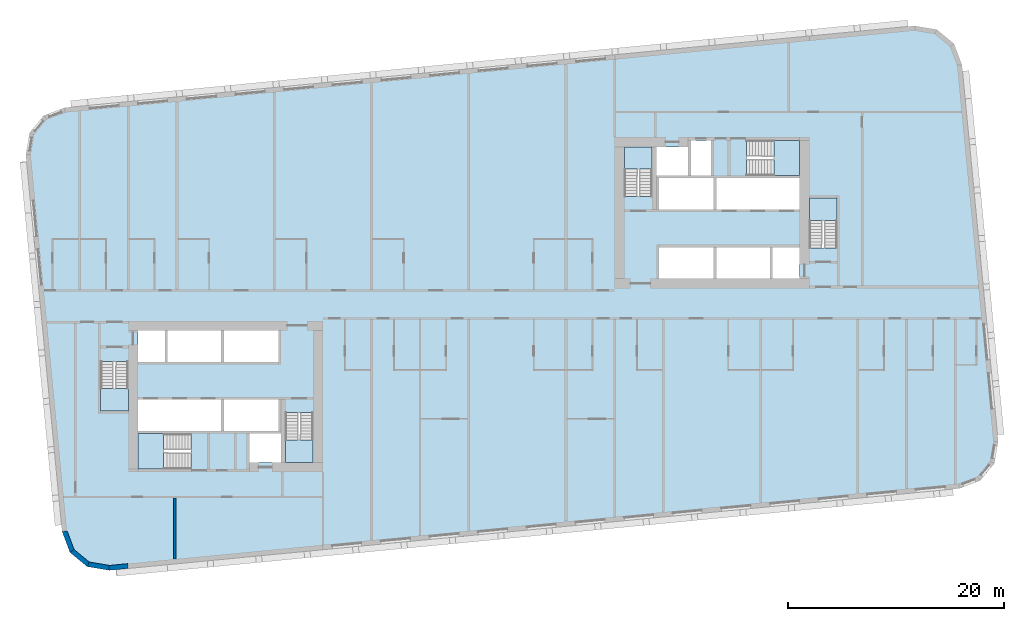
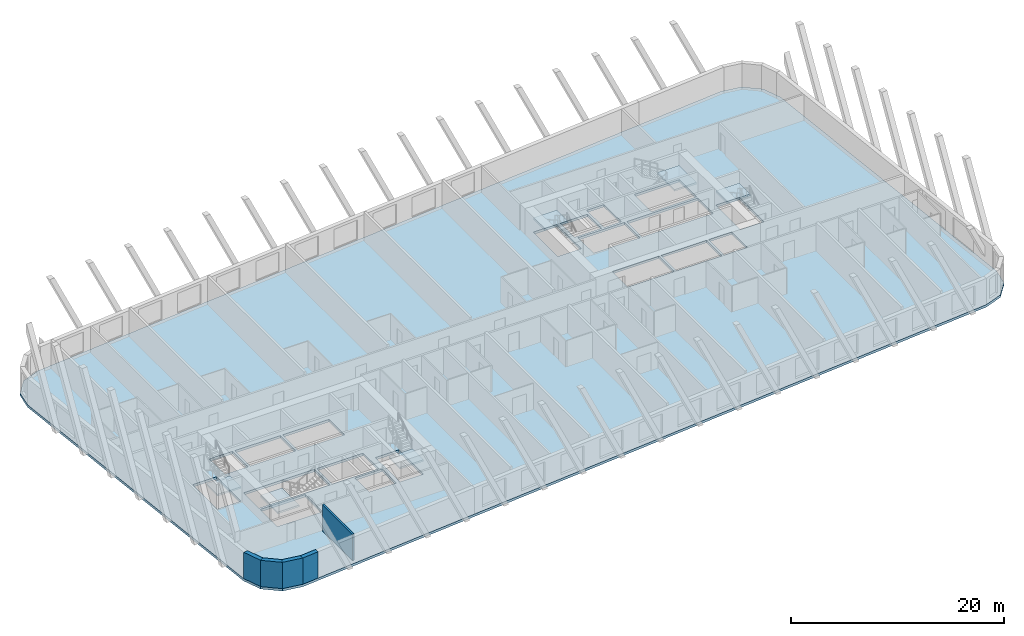
# One storey, part 1 of 13: 7 slabs, 5 walls, 6 elements without a shape of their own.
"""IFC4 building model written with IfcOpenShell, lengths in metres."""

from ifc_helpers import new_model, si_unit, direction, frame, frame_2d, origin, place, context, subcontext, project, spatial, polyline, rectangle, outline, extrude, material, layer, layer_set, type_object, element, aggregate, save


model = new_model("IFC4")

# Units and contexts
model_context = context("Model", 3, precision=1e-05, world=origin(), true_north=direction((0.0, 1.0)))
body_context = subcontext(model_context, "Body", "Model", "MODEL_VIEW")
ifc_project = project(units=[si_unit("LENGTHUNIT", "METRE"), si_unit("AREAUNIT", "SQUARE_METRE"), si_unit("VOLUMEUNIT", "CUBIC_METRE"), si_unit("PLANEANGLEUNIT", "RADIAN"), si_unit("MASSUNIT", "GRAM", prefix="KILO")], contexts=[model_context])

# Site, building, storey
site_placement = place(None, origin())
site = spatial("IfcSite", under=ifc_project, at=site_placement, CompositionType="ELEMENT")
building_placement = place(site_placement, origin())
building = spatial("IfcBuilding", under=site, at=building_placement, Name="Kajstack Hotel Tower", CompositionType="ELEMENT")
storey_placement = place(building_placement, frame((0.0, 0.0, 110.800048828125)))
storey = spatial("IfcBuildingStorey", under=building, at=storey_placement, Name="L23", CompositionType="ELEMENT", Elevation=110.800048828125)

# Slab
ifc_material_1 = material(Name="Concrete C40/50", Category="concrete")
ifc_layer_1 = layer(ifc_material_1, 0.280029296875)
ifc_layer_set_1 = layer_set([ifc_layer_1], Name="RC slab 280 C40/50 guest")
slab_type_1 = type_object("IfcSlabType", Name="RC slab 280 C40/50 guest", PredefinedType="FLOOR", material=ifc_layer_set_1)
slab_1_placement = place(storey_placement, frame((0.0, 0.0, -0.280029296875)))
element("IfcSlab", 1, at=slab_1_placement, inside=storey, type_object=slab_type_1, Name="S-slab-L23", PredefinedType="FLOOR", context=body_context, shape_type="SweptSolid", body=[
    extrude(outline(polyline([(-40.97705078125, 13.85009765625), (-37.622314453125, -20.98876953125), (-36.897216796875, -22.92822265625), (-35.299560546875, -24.2451171875), (-33.257568359375, -24.5869140625), (45.37890625, -17.01513671875), (47.318359375, -16.2900390625), (48.63525390625, -14.6923828125), (48.97705078125, -12.650146484375), (45.622314453125, 22.188720703125), (44.897216796875, 24.128173828125), (43.299560546875, 25.4453125), (41.257568359375, 25.786865234375), (-37.37890625, 18.215087890625), (-39.318359375, 17.489990234375), (-40.63525390625, 15.892333984375), (-40.97705078125, 13.85009765625)]), holes=[polyline([(-30.60009765625, -11.699951171875), (-30.60009765625, -8.800048828125), (-22.89990234375, -8.800048828125), (-22.89990234375, -11.699951171875), (-30.60009765625, -11.699951171875)]), polyline([(-22.64990234375, -11.699951171875), (-22.64990234375, -8.800048828125), (-17.60009765625, -8.800048828125), (-17.60009765625, -11.699951171875), (-22.64990234375, -11.699951171875)]), polyline([(-27.85009765625, -5.300048828125), (-27.85009765625, -2.39990234375), (-22.89990234375, -2.39990234375), (-22.89990234375, -5.300048828125), (-27.85009765625, -5.300048828125)]), polyline([(-22.64990234375, -5.300048828125), (-22.64990234375, -2.39990234375), (-17.60009765625, -2.39990234375), (-17.60009765625, -5.300048828125), (-22.64990234375, -5.300048828125)]), polyline([(-20.300048828125, -14.60009765625), (-17.35009765625, -14.60009765625), (-17.35009765625, -11.949951171875), (-20.300048828125, -11.949951171875), (-20.300048828125, -14.60009765625)]), polyline([(-30.60009765625, -5.300048828125), (-28.10009765625, -5.300048828125), (-28.10009765625, -2.39990234375), (-30.60009765625, -2.39990234375), (-30.60009765625, -5.300048828125)]), polyline([(22.89990234375, 8.800048828125), (22.89990234375, 11.699951171875), (30.60009765625, 11.699951171875), (30.60009765625, 8.800048828125), (22.89990234375, 8.800048828125)]), polyline([(17.60009765625, 8.800048828125), (17.60009765625, 11.699951171875), (22.64990234375, 11.699951171875), (22.64990234375, 8.800048828125), (17.60009765625, 8.800048828125)]), polyline([(22.89990234375, 2.39990234375), (22.89990234375, 5.300048828125), (27.85009765625, 5.300048828125), (27.85009765625, 2.39990234375), (22.89990234375, 2.39990234375)]), polyline([(17.60009765625, 2.39990234375), (17.60009765625, 5.300048828125), (22.64990234375, 5.300048828125), (22.64990234375, 2.39990234375), (17.60009765625, 2.39990234375)]), polyline([(20.300048828125, 14.60009765625), (17.35009765625, 14.60009765625), (17.35009765625, 11.949951171875), (20.300048828125, 11.949951171875), (20.300048828125, 14.60009765625)]), polyline([(30.60009765625, 5.300048828125), (28.10009765625, 5.300048828125), (28.10009765625, 2.39990234375), (30.60009765625, 2.39990234375), (30.60009765625, 5.300048828125)]), polyline([(-34.050048828125, -9.85009765625), (-31.5, -9.85009765625), (-31.5, -5.25), (-34.050048828125, -5.25), (-34.050048828125, -9.85009765625)]), polyline([(-16.949951171875, -14.60009765625), (-14.39990234375, -14.60009765625), (-14.39990234375, -10.0), (-16.949951171875, -10.0), (-16.949951171875, -14.60009765625)]), polyline([(-30.60009765625, -15.199951171875), (-25.699951171875, -15.199951171875), (-25.699951171875, -11.949951171875), (-30.60009765625, -11.949951171875), (-30.60009765625, -15.199951171875)]), polyline([(34.050048828125, 9.85009765625), (31.5, 9.85009765625), (31.5, 5.25), (34.050048828125, 5.25), (34.050048828125, 9.85009765625)]), polyline([(16.949951171875, 14.60009765625), (14.39990234375, 14.60009765625), (14.39990234375, 10.0), (16.949951171875, 10.0), (16.949951171875, 14.60009765625)]), polyline([(30.60009765625, 15.199951171875), (25.699951171875, 15.199951171875), (25.699951171875, 11.949951171875), (30.60009765625, 11.949951171875), (30.60009765625, 15.199951171875)]), polyline([(22.425048828125, 15.199951171875), (22.425048828125, 11.949951171875), (20.550048828125, 11.949951171875), (20.550048828125, 15.199951171875), (22.425048828125, 15.199951171875)])]), origin(), (0.0, 0.0, 1.0), 0.280029296875),
])

# Stair, slab
stair_type_1 = type_object("IfcStairType", Name="Exit stair 1200", PredefinedType="HALF_TURN_STAIR", material=ifc_material_1)
stair_1_placement = place(storey_placement, origin())
stair_1 = element("IfcStair", 2, at=stair_1_placement, inside=storey, type_object=stair_type_1, Name="L23 stair W1", PredefinedType="HALF_TURN_STAIR")
ifc_layer_2 = layer(ifc_material_1, 0.199951171875)
ifc_layer_set_2 = layer_set([ifc_layer_2], Name="Stair landing 200")
slab_type_2 = type_object("IfcSlabType", Name="Stair landing 200", PredefinedType="LANDING", material=ifc_layer_set_2)
slab_2_placement = place(storey_placement, frame((0.0, 0.0, 1.449951171875)))
slab_2 = element("IfcSlab", 3, at=slab_2_placement, type_object=slab_type_2, Name="W1 landing 1", PredefinedType="LANDING", context=body_context, shape_type="SweptSolid", body=[
    extrude(outline(polyline([(-34.050048828125, -7.77001953125), (-34.050048828125, -9.85009765625), (-31.5, -9.85009765625), (-31.5, -7.77001953125), (-34.050048828125, -7.77001953125)])), origin(), (0.0, 0.0, 1.0), 0.199951171875),
])
aggregate(stair_1, [slab_2])

stair_2_placement = place(storey_placement, origin())
stair_2 = element("IfcStair", 4, at=stair_2_placement, inside=storey, type_object=stair_type_1, Name="L23 stair W2", PredefinedType="HALF_TURN_STAIR")
slab_3_placement = place(storey_placement, frame((0.0, 0.0, 1.449951171875)))
slab_3 = element("IfcSlab", 5, at=slab_3_placement, type_object=slab_type_2, Name="W2 landing 1", PredefinedType="LANDING", context=body_context, shape_type="SweptSolid", body=[
    extrude(outline(polyline([(-16.949951171875, -12.52001953125), (-16.949951171875, -14.60009765625), (-14.39990234375, -14.60009765625), (-14.39990234375, -12.52001953125), (-16.949951171875, -12.52001953125)])), origin(), (0.0, 0.0, 1.0), 0.199951171875),
])
aggregate(stair_2, [slab_3])

stair_type_2 = type_object("IfcStairType", Name="Exit stair 1500", PredefinedType="HALF_TURN_STAIR", material=ifc_material_1)
stair_3_placement = place(storey_placement, origin())
stair_3 = element("IfcStair", 6, at=stair_3_placement, inside=storey, type_object=stair_type_2, Name="L23 stair W3", PredefinedType="HALF_TURN_STAIR")
slab_4_placement = place(storey_placement, frame((0.0, 0.0, 1.449951171875)))
slab_4 = element("IfcSlab", 7, at=slab_4_placement, type_object=slab_type_2, Name="W3 landing 1", PredefinedType="LANDING", context=body_context, shape_type="SweptSolid", body=[
    extrude(outline(polyline([(-28.219970703125, -11.949951171875), (-30.60009765625, -11.949951171875), (-30.60009765625, -15.199951171875), (-28.219970703125, -15.199951171875), (-28.219970703125, -11.949951171875)])), origin(), (0.0, 0.0, 1.0), 0.199951171875),
])
aggregate(stair_3, [slab_4])

stair_4_placement = place(storey_placement, origin())
stair_4 = element("IfcStair", 8, at=stair_4_placement, inside=storey, type_object=stair_type_1, Name="L23 stair E1", PredefinedType="HALF_TURN_STAIR")
slab_5_placement = place(storey_placement, frame((0.0, 0.0, 1.449951171875)))
slab_5 = element("IfcSlab", 9, at=slab_5_placement, type_object=slab_type_2, Name="E1 landing 1", PredefinedType="LANDING", context=body_context, shape_type="SweptSolid", body=[
    extrude(outline(polyline([(34.050048828125, 7.77001953125), (34.050048828125, 9.85009765625), (31.5, 9.85009765625), (31.5, 7.77001953125), (34.050048828125, 7.77001953125)])), origin(), (0.0, 0.0, 1.0), 0.199951171875),
])
aggregate(stair_4, [slab_5])

stair_5_placement = place(storey_placement, origin())
stair_5 = element("IfcStair", 10, at=stair_5_placement, inside=storey, type_object=stair_type_1, Name="L23 stair E2", PredefinedType="HALF_TURN_STAIR")
slab_6_placement = place(storey_placement, frame((0.0, 0.0, 1.449951171875)))
slab_6 = element("IfcSlab", 11, at=slab_6_placement, type_object=slab_type_2, Name="E2 landing 1", PredefinedType="LANDING", context=body_context, shape_type="SweptSolid", body=[
    extrude(outline(polyline([(16.949951171875, 12.52001953125), (16.949951171875, 14.60009765625), (14.39990234375, 14.60009765625), (14.39990234375, 12.52001953125), (16.949951171875, 12.52001953125)])), origin(), (0.0, 0.0, 1.0), 0.199951171875),
])
aggregate(stair_5, [slab_6])

stair_6_placement = place(storey_placement, origin())
stair_6 = element("IfcStair", 12, at=stair_6_placement, inside=storey, type_object=stair_type_2, Name="L23 stair E3", PredefinedType="HALF_TURN_STAIR")
slab_7_placement = place(storey_placement, frame((0.0, 0.0, 1.449951171875)))
slab_7 = element("IfcSlab", 13, at=slab_7_placement, type_object=slab_type_2, Name="E3 landing 1", PredefinedType="LANDING", context=body_context, shape_type="SweptSolid", body=[
    extrude(outline(polyline([(28.219970703125, 11.949951171875), (30.60009765625, 11.949951171875), (30.60009765625, 15.199951171875), (28.219970703125, 15.199951171875), (28.219970703125, 11.949951171875)])), origin(), (0.0, 0.0, 1.0), 0.199951171875),
])
aggregate(stair_6, [slab_7])

# Walls
ifc_material_2 = material(Name="Terracotta-faced brick masonry", Category="masonry")
ifc_layer_3 = layer(ifc_material_2, 0.449951171875)
ifc_layer_set_3 = layer_set([ifc_layer_3], Name="EW-TERRA")
wall_type_1 = type_object("IfcWallType", Name="EW-TERRA", PredefinedType="SOLIDWALL", material=ifc_layer_set_3)
for number, where, z_axis, x_axis, name in (
    (14, (-37.41162109375, -20.909912109375, 0.0), (0.0, 0.0, 1.0), (0.350192909346, -0.936677599948, 0.0), "E-wall-L23-01-00"),
    (15, (-36.754150390625, -22.754638671875, 0.0), (0.0, 0.0, 1.0), (0.771651049663, -0.636046112757, 0.0), "E-wall-L23-02-00"),
):
    element("IfcWall", number, at=place(storey_placement, frame(where, z_axis=z_axis, x_axis=x_axis)), inside=storey, type_object=wall_type_1, Name=name, PredefinedType="SOLIDWALL", context=body_context, shape_type="SweptSolid", body=[
        extrude(outline(polyline([(0.0, -0.22509765625), (2.070556640625, -0.22509765625), (1.949951171875, 0.224853515625), (0.12060546875, 0.22509765625), (0.0, -0.22509765625)])), origin(), (0.0, 0.0, 1.0), 3.02001953125),
    ])
wall_1_placement = place(storey_placement, frame((-35.262451171875, -24.023193359375, 0.0), z_axis=(0.0, 0.0, 1.0), x_axis=(0.986278951104, -0.165087342366, 0.0)))
element("IfcWall", 16, at=wall_1_placement, inside=storey, type_object=wall_type_1, Name="E-wall-L23-03-00", PredefinedType="SOLIDWALL", context=body_context, shape_type="SweptSolid", body=[
    extrude(outline(polyline([(0.0, -0.22509765625), (2.070556640625, -0.22509765625), (1.949951171875, 0.22509765625), (0.12060546875, 0.224853515625), (0.0, -0.22509765625)])), origin(), (0.0, 0.0, 1.0), 3.02001953125),
])
wall_2_placement = place(storey_placement, frame((-33.279052734375, -24.363037109375, 0.0), z_axis=(0.0, 0.0, 1.0), x_axis=(0.995385439311, 0.095957423931, 0.0)))
element("IfcWall", 17, at=wall_2_placement, inside=storey, type_object=wall_type_1, Name="E-wall-L23-04-00", PredefinedType="SOLIDWALL", context=body_context, shape_type="SweptSolid", body=[
    extrude(rectangle(XDim=1.765625, YDim=0.449951171875, at=frame_2d((0.8828125, 0.0))), origin(), (0.0, 0.0, 1.0), 3.02001953125),
])
ifc_material_3 = material(Name="Gypsum board on steel studs, mineral wool", Category="steel")
ifc_layer_4 = layer(ifc_material_3, 0.199951171875)
ifc_layer_set_4 = layer_set([ifc_layer_4], Name="Service partition 200")
wall_type_2 = type_object("IfcWallType", Name="Service partition 200", PredefinedType="PARTITIONING", material=ifc_layer_set_4)
wall_3_placement = place(storey_placement, frame((-27.199951171875, -23.552490234375, 0.0), z_axis=(0.0, 0.0, 1.0), x_axis=(0.0, 1.0, 0.0)))
element("IfcWall", 18, at=wall_3_placement, inside=storey, type_object=wall_type_2, Name="Partition W SLP0", PredefinedType="PARTITIONING", context=body_context, shape_type="SweptSolid", body=[
    extrude(rectangle(XDim=5.652587890625, YDim=0.199951171875, at=frame_2d((2.826171875, 0.0))), origin(), (0.0, 0.0, 1.0), 3.02001953125),
])

save(model, "model.ifc")
